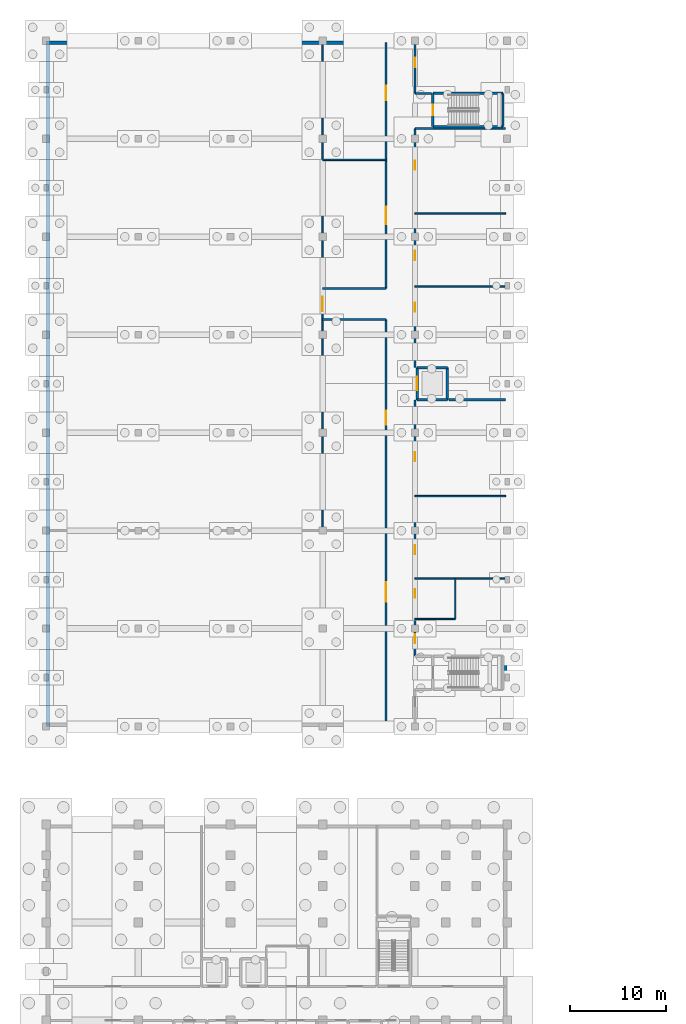
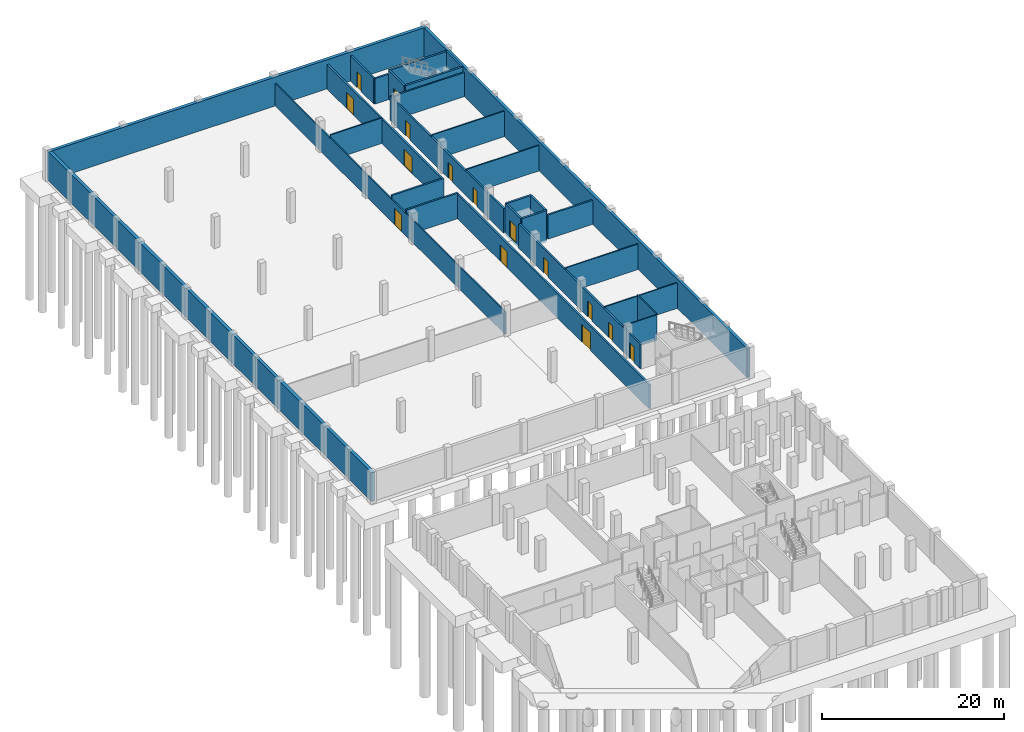
# One storey, part 11 of 18: 29 walls, 15 doors, 15 openings.
"""IFC4 building model written with IfcOpenShell, lengths in metres."""

from ifc_helpers import new_model, si_unit, direction, frame, frame_2d, origin, place, context, subcontext, project, spatial, rectangle, extrude, material, layer, layer_set, type_object, element, fill, save


model = new_model("IFC4")

# Units and contexts
model_context = context("Model", 3, precision=1e-05, world=origin(), true_north=direction((0.0, 1.0)))
body_context = subcontext(model_context, "Body", "Model", "MODEL_VIEW")
ifc_project = project(units=[si_unit("LENGTHUNIT", "METRE"), si_unit("AREAUNIT", "SQUARE_METRE"), si_unit("VOLUMEUNIT", "CUBIC_METRE"), si_unit("PLANEANGLEUNIT", "RADIAN"), si_unit("MASSUNIT", "GRAM", prefix="KILO")], contexts=[model_context])

# Site, building, storey
site_placement = place(None, origin())
site = spatial("IfcSite", under=ifc_project, at=site_placement, CompositionType="ELEMENT")
building_placement = place(site_placement, origin())
building = spatial("IfcBuilding", under=site, at=building_placement, Name="Vondelvale Polytechnic", CompositionType="ELEMENT")
storey_placement = place(building_placement, frame((0.0, 0.0, -4.199951171875)))
storey = spatial("IfcBuildingStorey", under=building, at=storey_placement, Name="B1", CompositionType="ELEMENT", Elevation=-4.199951171875)

# Walls
ifc_material_1 = material(Name="Concrete N40 (f'c = 40 MPa)", Category="concrete")
ifc_layer_1 = layer(ifc_material_1, 0.25)
ifc_layer_set_1 = layer_set([ifc_layer_1], Name="WL-CORE-250")
wall_type_1 = type_object("IfcWallType", Name="WL-CORE-250", PredefinedType="SOLIDWALL", material=ifc_layer_set_1)
wall_1_placement = place(storey_placement, frame((40.27490234375, 113.47509765625, 0.0), z_axis=(0.0, 0.0, 1.0), x_axis=(1.0, 0.0, 0.0)))
element("IfcWall", 1, at=wall_1_placement, inside=storey, type_object=wall_type_1, Name="B1 ST-02 reinforced concrete stair core wall", PredefinedType="SOLIDWALL", context=body_context, shape_type="SweptSolid", body=[
    extrude(rectangle(XDim=7.300048828125, YDim=0.25, at=frame_2d((3.64990234375, 0.0))), origin(), (0.0, 0.0, 1.0), 3.89990234375),
])
wall_2_placement = place(storey_placement, frame((47.574951171875, 113.47509765625, 0.0), z_axis=(0.0, 0.0, 1.0), x_axis=(0.0, 1.0, 0.0)))
element("IfcWall", 2, at=wall_2_placement, inside=storey, type_object=wall_type_1, Name="B1 ST-02 reinforced concrete stair core wall", PredefinedType="SOLIDWALL", context=body_context, shape_type="SweptSolid", body=[
    extrude(rectangle(XDim=3.449951171875, YDim=0.25, at=frame_2d((1.72509765625, 0.0))), origin(), (0.0, 0.0, 1.0), 3.89990234375),
])
wall_3_placement = place(storey_placement, frame((47.574951171875, 116.925048828125, 0.0), z_axis=(0.0, 0.0, 1.0), x_axis=(-1.0, 0.0, 0.0)))
element("IfcWall", 3, at=wall_3_placement, inside=storey, type_object=wall_type_1, Name="B1 ST-02 reinforced concrete stair core wall", PredefinedType="SOLIDWALL", context=body_context, shape_type="SweptSolid", body=[
    extrude(rectangle(XDim=7.300048828125, YDim=0.25, at=frame_2d((3.64990234375, 0.0))), origin(), (0.0, 0.0, 1.0), 3.89990234375),
])

# Wall, opening, door
wall_4_placement = place(storey_placement, frame((40.27490234375, 116.925048828125, 0.0), z_axis=(0.0, 0.0, 1.0), x_axis=(0.0, -1.0, 0.0)))
wall_4 = element("IfcWall", 4, at=wall_4_placement, inside=storey, type_object=wall_type_1, Name="B1 ST-02 reinforced concrete stair core wall", PredefinedType="SOLIDWALL", context=body_context, shape_type="SweptSolid", body=[
    extrude(rectangle(XDim=3.449951171875, YDim=0.25, at=frame_2d((1.72509765625, 0.0))), origin(), (0.0, 0.0, 1.0), 3.89990234375),
])
opening_1_placement = place(wall_4_placement, frame((1.175048828125, 0.0, 0.0)))
opening_1 = element("IfcOpeningElement", 5, at=opening_1_placement, cuts=wall_4, Name="Opening SD-005", PredefinedType="OPENING", context=body_context, shape_type="SweptSolid", body=[
    extrude(rectangle(XDim=1.10009765625, YDim=2.199951171875, at=frame_2d((0.550048828125, 1.10009765625))), frame((0.0, 0.135009765625, 0.0), z_axis=(0.0, -1.0, 0.0), x_axis=(1.0, 0.0, 0.0)), (0.0, 0.0, 1.0), 0.27001953125),
])
ifc_material_2 = material(Name="Brushed architectural stainless and zinc-coated metal")
door_type_1 = type_object("IfcDoorType", Name="DR-STAIR-1100x2200", OperationType="SINGLE_SWING_LEFT", PredefinedType="DOOR", material=ifc_material_2)
door_1_placement = place(opening_1_placement, origin())
door_1 = element("IfcDoor", 6, at=door_1_placement, inside=storey, type_object=door_type_1, Name="B1 ST-02 fire-isolated stair door", OperationType="SINGLE_SWING_LEFT", OverallHeight=2.199951171875, OverallWidth=1.10009765625, PredefinedType="DOOR", context=body_context, shape_type="SweptSolid", body=[
    extrude(rectangle(XDim=1.10009765625, YDim=2.199951171875, at=frame_2d((0.550048828125, 1.10009765625))), frame((0.0, 0.02490234375, 0.0), z_axis=(0.0, -1.0, 0.0), x_axis=(1.0, 0.0, 0.0)), (0.0, 0.0, 1.0), 0.050048828125),
])
fill(opening_1, door_1)

# Wall, openings, doors
ifc_material_3 = material(Name="Fire-rated double-layer plasterboard stud partition")
ifc_layer_2 = layer(ifc_material_3, 0.219970703125)
ifc_layer_set_2 = layer_set([ifc_layer_2], Name="WL-CORR-220")
wall_type_2 = type_object("IfcWallType", Name="WL-CORR-220", PredefinedType="PARTITIONING", material=ifc_layer_set_2)
wall_5_placement = place(storey_placement, frame((35.39990234375, 51.14990234375, 0.0), z_axis=(0.0, 0.0, 1.0), x_axis=(0.0, 1.0, 0.0)))
wall_5 = element("IfcWall", 7, at=wall_5_placement, inside=storey, type_object=wall_type_2, Name="B1 interior acoustic partition", PredefinedType="PARTITIONING", context=body_context, shape_type="SweptSolid", body=[
    extrude(rectangle(XDim=42.25, YDim=0.219970703125, at=frame_2d((21.125, 0.0))), origin(), (0.0, 0.0, 1.0), 3.26806640625),
])
opening_2_placement = place(wall_5_placement, frame((12.85009765625, 0.0, 0.0)))
opening_2 = element("IfcOpeningElement", 8, at=opening_2_placement, cuts=wall_5, Name="Opening ID-0074", PredefinedType="OPENING", context=body_context, shape_type="SweptSolid", body=[
    extrude(rectangle(XDim=2.0, YDim=2.39990234375, at=frame_2d((1.0, 1.199951171875))), frame((0.0, 0.119873046875, 0.0), z_axis=(0.0, -1.0, 0.0), x_axis=(1.0, 0.0, 0.0)), (0.0, 0.0, 1.0), 0.239990234375),
])
opening_3_placement = place(wall_5_placement, frame((31.25, 0.0, 0.0)))
opening_3 = element("IfcOpeningElement", 9, at=opening_3_placement, cuts=wall_5, Name="Opening ID-0075", PredefinedType="OPENING", context=body_context, shape_type="SweptSolid", body=[
    extrude(rectangle(XDim=1.5, YDim=2.199951171875, at=frame_2d((0.75, 1.10009765625))), frame((0.0, 0.119873046875, 0.0), z_axis=(0.0, -1.0, 0.0), x_axis=(1.0, 0.0, 0.0)), (0.0, 0.0, 1.0), 0.239990234375),
])
ifc_material_4 = material(Name="Fire-rated solid Tasmanian oak joinery")
door_type_2 = type_object("IfcDoorType", Name="DR-LAB-1500x2200", OperationType="DOUBLE_DOOR_SINGLE_SWING", PredefinedType="DOOR", material=ifc_material_4)
door_2_placement = place(opening_3_placement, origin())
door_2 = element("IfcDoor", 10, at=door_2_placement, inside=storey, type_object=door_type_2, Name="B1 interior room door ID-0075", OperationType="DOUBLE_DOOR_SINGLE_SWING", OverallHeight=2.199951171875, OverallWidth=1.5, PredefinedType="DOOR", context=body_context, shape_type="SweptSolid", body=[
    extrude(rectangle(XDim=1.5, YDim=2.199951171875, at=frame_2d((0.75, 1.10009765625))), frame((0.0, 0.02490234375, 0.0), z_axis=(0.0, -1.0, 0.0), x_axis=(1.0, 0.0, 0.0)), (0.0, 0.0, 1.0), 0.050048828125),
])
fill(opening_3, door_2)
door_type_3 = type_object("IfcDoorType", Name="DR-WORK-2000x2400", OperationType="DOUBLE_DOOR_SINGLE_SWING", PredefinedType="DOOR", material=ifc_material_2)
door_3_placement = place(opening_2_placement, origin())
door_3 = element("IfcDoor", 11, at=door_3_placement, inside=storey, type_object=door_type_3, Name="B1 interior room door ID-0074", OperationType="DOUBLE_DOOR_SINGLE_SWING", OverallHeight=2.39990234375, OverallWidth=2.0, PredefinedType="DOOR", context=body_context, shape_type="SweptSolid", body=[
    extrude(rectangle(XDim=2.0, YDim=2.39990234375, at=frame_2d((1.0, 1.199951171875))), frame((0.0, 0.02490234375, 0.0), z_axis=(0.0, -1.0, 0.0), x_axis=(1.0, 0.0, 0.0)), (0.0, 0.0, 1.0), 0.050048828125),
])
fill(opening_2, door_3)

wall_6_placement = place(storey_placement, frame((35.39990234375, 96.60009765625, 0.0), z_axis=(0.0, 0.0, 1.0), x_axis=(0.0, 1.0, 0.0)))
wall_6 = element("IfcWall", 12, at=wall_6_placement, inside=storey, type_object=wall_type_2, Name="B1 interior acoustic partition", PredefinedType="PARTITIONING", context=body_context, shape_type="SweptSolid", body=[
    extrude(rectangle(XDim=25.64990234375, YDim=0.219970703125, at=frame_2d((12.824951171875, 0.0))), origin(), (0.0, 0.0, 1.0), 3.26806640625),
])
opening_4_placement = place(wall_6_placement, frame((6.699951171875, 0.0, 0.0)))
opening_4 = element("IfcOpeningElement", 13, at=opening_4_placement, cuts=wall_6, Name="Opening ID-0076", PredefinedType="OPENING", context=body_context, shape_type="SweptSolid", body=[
    extrude(rectangle(XDim=1.800048828125, YDim=2.199951171875, at=frame_2d((0.89990234375, 1.10009765625))), frame((0.0, 0.119873046875, 0.0), z_axis=(0.0, -1.0, 0.0), x_axis=(1.0, 0.0, 0.0)), (0.0, 0.0, 1.0), 0.239990234375),
])
opening_5_placement = place(wall_6_placement, frame((19.60009765625, 0.0, 0.0)))
opening_5 = element("IfcOpeningElement", 14, at=opening_5_placement, cuts=wall_6, Name="Opening ID-0077", PredefinedType="OPENING", context=body_context, shape_type="SweptSolid", body=[
    extrude(rectangle(XDim=1.5, YDim=2.199951171875, at=frame_2d((0.75, 1.10009765625))), frame((0.0, 0.119873046875, 0.0), z_axis=(0.0, -1.0, 0.0), x_axis=(1.0, 0.0, 0.0)), (0.0, 0.0, 1.0), 0.239990234375),
])
door_4_placement = place(opening_5_placement, origin())
door_4 = element("IfcDoor", 15, at=door_4_placement, inside=storey, type_object=door_type_2, Name="B1 interior room door ID-0077", OperationType="DOUBLE_DOOR_SINGLE_SWING", OverallHeight=2.199951171875, OverallWidth=1.5, PredefinedType="DOOR", context=body_context, shape_type="SweptSolid", body=[
    extrude(rectangle(XDim=1.5, YDim=2.199951171875, at=frame_2d((0.75, 1.10009765625))), frame((0.0, 0.02490234375, 0.0), z_axis=(0.0, -1.0, 0.0), x_axis=(1.0, 0.0, 0.0)), (0.0, 0.0, 1.0), 0.050048828125),
])
fill(opening_5, door_4)
door_type_4 = type_object("IfcDoorType", Name="DR-PLANT-1800x2200", OperationType="DOUBLE_DOOR_SINGLE_SWING", PredefinedType="DOOR", material=ifc_material_2)
door_5_placement = place(opening_4_placement, origin())
door_5 = element("IfcDoor", 16, at=door_5_placement, inside=storey, type_object=door_type_4, Name="B1 interior room door ID-0076", OperationType="DOUBLE_DOOR_SINGLE_SWING", OverallHeight=2.199951171875, OverallWidth=1.800048828125, PredefinedType="DOOR", context=body_context, shape_type="SweptSolid", body=[
    extrude(rectangle(XDim=1.800048828125, YDim=2.199951171875, at=frame_2d((0.89990234375, 1.10009765625))), frame((0.0, 0.02490234375, 0.0), z_axis=(0.0, -1.0, 0.0), x_axis=(1.0, 0.0, 0.0)), (0.0, 0.0, 1.0), 0.050048828125),
])
fill(opening_4, door_5)

# Walls
for number, where, z_axis, x_axis, name in (
    (17, (28.800048828125, 93.39990234375, 0.0), (0.0, 0.0, 1.0), (1.0, 0.0, 0.0), "B1 interior acoustic partition"),
    (18, (28.800048828125, 96.60009765625, 0.0), (0.0, 0.0, 1.0), (1.0, 0.0, 0.0), "B1 interior acoustic partition"),
):
    element("IfcWall", number, at=place(storey_placement, frame(where, z_axis=z_axis, x_axis=x_axis)), inside=storey, type_object=wall_type_2, Name=name, PredefinedType="PARTITIONING", context=body_context, shape_type="SweptSolid", body=[
        extrude(rectangle(XDim=6.599853515625, YDim=0.219970703125, at=frame_2d((3.2998046875, 0.0))), origin(), (0.0, 0.0, 1.0), 3.4228515625),
    ])

# Wall, openings, doors
wall_7_placement = place(storey_placement, frame((38.39990234375, 58.324951171875, 0.0), z_axis=(0.0, 0.0, 1.0), x_axis=(0.0, 1.0, 0.0)))
wall_7 = element("IfcWall", 19, at=wall_7_placement, inside=storey, type_object=wall_type_2, Name="B1 interior acoustic partition", PredefinedType="PARTITIONING", context=body_context, shape_type="SweptSolid", body=[
    extrude(rectangle(XDim=26.699951171875, YDim=0.219970703125, at=frame_2d((13.35009765625, 0.0))), origin(), (0.0, 0.0, 1.0), 3.26806640625),
])
opening_6_placement = place(wall_7_placement, frame((1.35009765625, 0.0, 0.0)))
opening_6 = element("IfcOpeningElement", 20, at=opening_6_placement, cuts=wall_7, Name="Opening ID-0080", PredefinedType="OPENING", context=body_context, shape_type="SweptSolid", body=[
    extrude(rectangle(XDim=0.949951171875, YDim=2.10009765625, at=frame_2d((0.47509765625, 1.050048828125))), frame((0.0, 0.119873046875, 0.0), z_axis=(0.0, -1.0, 0.0), x_axis=(1.0, 0.0, 0.0)), (0.0, 0.0, 1.0), 0.239990234375),
])
opening_7_placement = place(wall_7_placement, frame((6.080078125, 0.0, 0.0)))
opening_7 = element("IfcOpeningElement", 21, at=opening_7_placement, cuts=wall_7, Name="Opening ID-0081", PredefinedType="OPENING", context=body_context, shape_type="SweptSolid", body=[
    extrude(rectangle(XDim=0.89990234375, YDim=2.050048828125, at=frame_2d((0.449951171875, 1.02490234375))), frame((0.0, 0.119873046875, 0.0), z_axis=(0.0, -1.0, 0.0), x_axis=(1.0, 0.0, 0.0)), (0.0, 0.0, 1.0), 0.239990234375),
])
opening_8_placement = place(wall_7_placement, frame((10.60009765625, 0.0, 0.0)))
opening_8 = element("IfcOpeningElement", 22, at=opening_8_placement, cuts=wall_7, Name="Opening ID-0082", PredefinedType="OPENING", context=body_context, shape_type="SweptSolid", body=[
    extrude(rectangle(XDim=0.949951171875, YDim=2.10009765625, at=frame_2d((0.47509765625, 1.050048828125))), frame((0.0, 0.119873046875, 0.0), z_axis=(0.0, -1.0, 0.0), x_axis=(1.0, 0.0, 0.0)), (0.0, 0.0, 1.0), 0.239990234375),
])
opening_9_placement = place(wall_7_placement, frame((20.300048828125, 0.0, 0.0)))
opening_9 = element("IfcOpeningElement", 23, at=opening_9_placement, cuts=wall_7, Name="Opening ID-0083", PredefinedType="OPENING", context=body_context, shape_type="SweptSolid", body=[
    extrude(rectangle(XDim=0.949951171875, YDim=2.10009765625, at=frame_2d((0.47509765625, 1.050048828125))), frame((0.0, 0.119873046875, 0.0), z_axis=(0.0, -1.0, 0.0), x_axis=(1.0, 0.0, 0.0)), (0.0, 0.0, 1.0), 0.239990234375),
])
door_type_5 = type_object("IfcDoorType", Name="DR-INT-0950x2100", OperationType="SINGLE_SWING_LEFT", PredefinedType="DOOR", material=ifc_material_4)
door_6_placement = place(opening_6_placement, origin())
door_6 = element("IfcDoor", 24, at=door_6_placement, inside=storey, type_object=door_type_5, Name="B1 interior room door ID-0080", OperationType="SINGLE_SWING_RIGHT", OverallHeight=2.10009765625, OverallWidth=0.949951171875, PredefinedType="DOOR", context=body_context, shape_type="SweptSolid", body=[
    extrude(rectangle(XDim=0.949951171875, YDim=2.10009765625, at=frame_2d((0.47509765625, 1.050048828125))), frame((0.0, 0.02490234375, 0.0), z_axis=(0.0, -1.0, 0.0), x_axis=(1.0, 0.0, 0.0)), (0.0, 0.0, 1.0), 0.050048828125),
])
fill(opening_6, door_6)
door_7_placement = place(opening_8_placement, origin())
door_7 = element("IfcDoor", 25, at=door_7_placement, inside=storey, type_object=door_type_5, Name="B1 interior room door ID-0082", OperationType="SINGLE_SWING_RIGHT", OverallHeight=2.10009765625, OverallWidth=0.949951171875, PredefinedType="DOOR", context=body_context, shape_type="SweptSolid", body=[
    extrude(rectangle(XDim=0.949951171875, YDim=2.10009765625, at=frame_2d((0.47509765625, 1.050048828125))), frame((0.0, 0.02490234375, 0.0), z_axis=(0.0, -1.0, 0.0), x_axis=(1.0, 0.0, 0.0)), (0.0, 0.0, 1.0), 0.050048828125),
])
fill(opening_8, door_7)
door_8_placement = place(opening_9_placement, origin())
door_8 = element("IfcDoor", 26, at=door_8_placement, inside=storey, type_object=door_type_5, Name="B1 interior room door ID-0083", OperationType="SINGLE_SWING_LEFT", OverallHeight=2.10009765625, OverallWidth=0.949951171875, PredefinedType="DOOR", context=body_context, shape_type="SweptSolid", body=[
    extrude(rectangle(XDim=0.949951171875, YDim=2.10009765625, at=frame_2d((0.47509765625, 1.050048828125))), frame((0.0, 0.02490234375, 0.0), z_axis=(0.0, -1.0, 0.0), x_axis=(1.0, 0.0, 0.0)), (0.0, 0.0, 1.0), 0.050048828125),
])
fill(opening_9, door_8)
door_type_6 = type_object("IfcDoorType", Name="DR-WC-0900x2050", OperationType="SINGLE_SWING_RIGHT", PredefinedType="DOOR", material=ifc_material_4)
door_9_placement = place(opening_7_placement, origin())
door_9 = element("IfcDoor", 27, at=door_9_placement, inside=storey, type_object=door_type_6, Name="B1 interior room door ID-0081", OperationType="SINGLE_SWING_LEFT", OverallHeight=2.050048828125, OverallWidth=0.89990234375, PredefinedType="DOOR", context=body_context, shape_type="SweptSolid", body=[
    extrude(rectangle(XDim=0.89990234375, YDim=2.050048828125, at=frame_2d((0.449951171875, 1.02490234375))), frame((0.0, 0.02490234375, 0.0), z_axis=(0.0, -1.0, 0.0), x_axis=(1.0, 0.0, 0.0)), (0.0, 0.0, 1.0), 0.050048828125),
])
fill(opening_7, door_9)

# Wall
wall_8_placement = place(storey_placement, frame((41.93994140625, 85.02490234375, 0.0), z_axis=(0.0, 0.0, 1.0), x_axis=(1.0, 0.0, 0.0)))
element("IfcWall", 28, at=wall_8_placement, inside=storey, type_object=wall_type_2, Name="B1 interior acoustic partition", PredefinedType="PARTITIONING", context=body_context, shape_type="SweptSolid", body=[
    extrude(rectangle(XDim=5.91015625, YDim=0.219970703125, at=frame_2d((2.955078125, 0.0))), origin(), (0.0, 0.0, 1.0), 3.22998046875),
])

# Wall, openings, doors
wall_9_placement = place(storey_placement, frame((38.39990234375, 88.375, 0.0), z_axis=(0.0, 0.0, 1.0), x_axis=(0.0, 1.0, 0.0)))
wall_9 = element("IfcWall", 29, at=wall_9_placement, inside=storey, type_object=wall_type_2, Name="B1 interior acoustic partition", PredefinedType="PARTITIONING", context=body_context, shape_type="SweptSolid", body=[
    extrude(rectangle(XDim=24.89990234375, YDim=0.219970703125, at=frame_2d((12.449951171875, 0.0))), origin(), (0.0, 0.0, 1.0), 3.26806640625),
])
opening_10_placement = place(wall_9_placement, frame((5.800048828125, 0.0, 0.0)))
opening_10 = element("IfcOpeningElement", 30, at=opening_10_placement, cuts=wall_9, Name="Opening ID-0084", PredefinedType="OPENING", context=body_context, shape_type="SweptSolid", body=[
    extrude(rectangle(XDim=0.949951171875, YDim=2.10009765625, at=frame_2d((0.47509765625, 1.050048828125))), frame((0.0, 0.119873046875, 0.0), z_axis=(0.0, -1.0, 0.0), x_axis=(1.0, 0.0, 0.0)), (0.0, 0.0, 1.0), 0.239990234375),
])
opening_11_placement = place(wall_9_placement, frame((11.199951171875, 0.0, 0.0)))
opening_11 = element("IfcOpeningElement", 31, at=opening_11_placement, cuts=wall_9, Name="Opening ID-0085", PredefinedType="OPENING", context=body_context, shape_type="SweptSolid", body=[
    extrude(rectangle(XDim=0.949951171875, YDim=2.10009765625, at=frame_2d((0.47509765625, 1.050048828125))), frame((0.0, 0.119873046875, 0.0), z_axis=(0.0, -1.0, 0.0), x_axis=(1.0, 0.0, 0.0)), (0.0, 0.0, 1.0), 0.239990234375),
])
opening_12_placement = place(wall_9_placement, frame((20.60009765625, 0.0, 0.0)))
opening_12 = element("IfcOpeningElement", 32, at=opening_12_placement, cuts=wall_9, Name="Opening ID-0086", PredefinedType="OPENING", context=body_context, shape_type="SweptSolid", body=[
    extrude(rectangle(XDim=0.949951171875, YDim=2.10009765625, at=frame_2d((0.47509765625, 1.050048828125))), frame((0.0, 0.119873046875, 0.0), z_axis=(0.0, -1.0, 0.0), x_axis=(1.0, 0.0, 0.0)), (0.0, 0.0, 1.0), 0.239990234375),
])
door_10_placement = place(opening_10_placement, origin())
door_10 = element("IfcDoor", 33, at=door_10_placement, inside=storey, type_object=door_type_5, Name="B1 interior room door ID-0084", OperationType="SINGLE_SWING_RIGHT", OverallHeight=2.10009765625, OverallWidth=0.949951171875, PredefinedType="DOOR", context=body_context, shape_type="SweptSolid", body=[
    extrude(rectangle(XDim=0.949951171875, YDim=2.10009765625, at=frame_2d((0.47509765625, 1.050048828125))), frame((0.0, 0.02490234375, 0.0), z_axis=(0.0, -1.0, 0.0), x_axis=(1.0, 0.0, 0.0)), (0.0, 0.0, 1.0), 0.050048828125),
])
fill(opening_10, door_10)
door_11_placement = place(opening_11_placement, origin())
door_11 = element("IfcDoor", 34, at=door_11_placement, inside=storey, type_object=door_type_5, Name="B1 interior room door ID-0085", OperationType="SINGLE_SWING_LEFT", OverallHeight=2.10009765625, OverallWidth=0.949951171875, PredefinedType="DOOR", context=body_context, shape_type="SweptSolid", body=[
    extrude(rectangle(XDim=0.949951171875, YDim=2.10009765625, at=frame_2d((0.47509765625, 1.050048828125))), frame((0.0, 0.02490234375, 0.0), z_axis=(0.0, -1.0, 0.0), x_axis=(1.0, 0.0, 0.0)), (0.0, 0.0, 1.0), 0.050048828125),
])
fill(opening_11, door_11)
door_12_placement = place(opening_12_placement, origin())
door_12 = element("IfcDoor", 35, at=door_12_placement, inside=storey, type_object=door_type_5, Name="B1 interior room door ID-0086", OperationType="SINGLE_SWING_RIGHT", OverallHeight=2.10009765625, OverallWidth=0.949951171875, PredefinedType="DOOR", context=body_context, shape_type="SweptSolid", body=[
    extrude(rectangle(XDim=0.949951171875, YDim=2.10009765625, at=frame_2d((0.47509765625, 1.050048828125))), frame((0.0, 0.02490234375, 0.0), z_axis=(0.0, -1.0, 0.0), x_axis=(1.0, 0.0, 0.0)), (0.0, 0.0, 1.0), 0.050048828125),
])
fill(opening_12, door_12)

# Walls
wall_10_placement = place(storey_placement, frame((38.39990234375, 113.27490234375, 0.0), z_axis=(0.0, 0.0, 1.0), x_axis=(1.0, 0.0, 0.0)))
element("IfcWall", 36, at=wall_10_placement, inside=storey, type_object=wall_type_2, Name="B1 interior acoustic partition", PredefinedType="PARTITIONING", context=body_context, shape_type="SweptSolid", body=[
    extrude(rectangle(XDim=9.4501953125, YDim=0.219970703125, at=frame_2d((4.72509765625, 0.0))), origin(), (0.0, 0.0, 1.0), 3.22998046875),
])
wall_11_placement = place(storey_placement, frame((38.39990234375, 116.925048828125, 0.0), z_axis=(0.0, 0.0, 1.0), x_axis=(1.0, 0.0, 0.0)))
element("IfcWall", 37, at=wall_11_placement, inside=storey, type_object=wall_type_2, Name="B1 interior acoustic partition", PredefinedType="PARTITIONING", context=body_context, shape_type="SweptSolid", body=[
    extrude(rectangle(XDim=1.710205078125, YDim=0.219970703125, at=frame_2d((0.85498046875, 0.0))), origin(), (0.0, 0.0, 1.0), 3.4228515625),
])

# Wall, opening, door
wall_12_placement = place(storey_placement, frame((38.39990234375, 116.925048828125, 0.0), z_axis=(0.0, 0.0, 1.0), x_axis=(0.0, 1.0, 0.0)))
wall_12 = element("IfcWall", 38, at=wall_12_placement, inside=storey, type_object=wall_type_2, Name="B1 interior acoustic partition", PredefinedType="PARTITIONING", context=body_context, shape_type="SweptSolid", body=[
    extrude(rectangle(XDim=5.324951171875, YDim=0.219970703125, at=frame_2d((2.66259765625, 0.0))), origin(), (0.0, 0.0, 1.0), 3.4228515625),
])
opening_13_placement = place(wall_12_placement, frame((2.75, 0.0, 0.0)))
opening_13 = element("IfcOpeningElement", 39, at=opening_13_placement, cuts=wall_12, Name="Opening ID-0087", PredefinedType="OPENING", context=body_context, shape_type="SweptSolid", body=[
    extrude(rectangle(XDim=0.949951171875, YDim=2.10009765625, at=frame_2d((0.47509765625, 1.050048828125))), frame((0.0, 0.119873046875, 0.0), z_axis=(0.0, -1.0, 0.0), x_axis=(1.0, 0.0, 0.0)), (0.0, 0.0, 1.0), 0.239990234375),
])
door_13_placement = place(opening_13_placement, origin())
door_13 = element("IfcDoor", 40, at=door_13_placement, inside=storey, type_object=door_type_5, Name="B1 interior room door ID-0087", OperationType="SINGLE_SWING_LEFT", OverallHeight=2.10009765625, OverallWidth=0.949951171875, PredefinedType="DOOR", context=body_context, shape_type="SweptSolid", body=[
    extrude(rectangle(XDim=0.949951171875, YDim=2.10009765625, at=frame_2d((0.47509765625, 1.050048828125))), frame((0.0, 0.02490234375, 0.0), z_axis=(0.0, -1.0, 0.0), x_axis=(1.0, 0.0, 0.0)), (0.0, 0.0, 1.0), 0.050048828125),
])
fill(opening_13, door_13)

# Walls
ifc_layer_3 = layer(ifc_material_3, 0.1201171875)
ifc_layer_set_3 = layer_set([ifc_layer_3], Name="WL-INT-120")
wall_type_3 = type_object("IfcWallType", Name="WL-INT-120", PredefinedType="PARTITIONING", material=ifc_layer_set_3)
wall_13_placement = place(storey_placement, frame((38.39990234375, 62.199951171875, 0.0), z_axis=(0.0, 0.0, 1.0), x_axis=(1.0, 0.0, 0.0)))
element("IfcWall", 41, at=wall_13_placement, inside=storey, type_object=wall_type_3, Name="B1 interior acoustic partition", PredefinedType="PARTITIONING", context=body_context, shape_type="SweptSolid", body=[
    extrude(rectangle(XDim=4.2001953125, YDim=0.1201171875, at=frame_2d((2.10009765625, 0.0))), origin(), (0.0, 0.0, 1.0), 3.4228515625),
])
wall_14_placement = place(storey_placement, frame((42.60009765625, 62.199951171875, 0.0), z_axis=(0.0, 0.0, 1.0), x_axis=(0.0, 1.0, 0.0)))
element("IfcWall", 42, at=wall_14_placement, inside=storey, type_object=wall_type_3, Name="B1 interior acoustic partition", PredefinedType="PARTITIONING", context=body_context, shape_type="SweptSolid", body=[
    extrude(rectangle(XDim=4.199951171875, YDim=0.1201171875, at=frame_2d((2.10009765625, 0.0))), origin(), (0.0, 0.0, 1.0), 3.575927734375),
])

# Wall, opening, door
ifc_layer_4 = layer(ifc_material_3, 0.14990234375)
ifc_layer_set_4 = layer_set([ifc_layer_4], Name="WL-INT-150")
wall_type_4 = type_object("IfcWallType", Name="WL-INT-150", PredefinedType="PARTITIONING", material=ifc_layer_set_4)
wall_15_placement = place(storey_placement, frame((28.800048828125, 71.39990234375, 0.0), z_axis=(0.0, 0.0, 1.0), x_axis=(0.0, 1.0, 0.0)))
wall_15 = element("IfcWall", 43, at=wall_15_placement, inside=storey, type_object=wall_type_4, Name="B1 interior acoustic partition", PredefinedType="PARTITIONING", context=body_context, shape_type="SweptSolid", body=[
    extrude(rectangle(XDim=50.85009765625, YDim=0.14990234375, at=frame_2d((25.425048828125, 0.0))), origin(), (0.0, 0.0, 1.0), 3.030029296875),
])
opening_14_placement = place(wall_15_placement, frame((22.85009765625, 0.0, 0.0)))
opening_14 = element("IfcOpeningElement", 44, at=opening_14_placement, cuts=wall_15, Name="Opening ID-0078", PredefinedType="OPENING", context=body_context, shape_type="SweptSolid", body=[
    extrude(rectangle(XDim=1.5, YDim=2.199951171875, at=frame_2d((0.75, 1.10009765625))), frame((0.0, 0.0849609375, 0.0), z_axis=(0.0, -1.0, 0.0), x_axis=(1.0, 0.0, 0.0)), (0.0, 0.0, 1.0), 0.169921875),
])
door_14_placement = place(opening_14_placement, origin())
door_14 = element("IfcDoor", 45, at=door_14_placement, inside=storey, type_object=door_type_2, Name="B1 interior room door ID-0078", OperationType="DOUBLE_DOOR_SINGLE_SWING", OverallHeight=2.199951171875, OverallWidth=1.5, PredefinedType="DOOR", context=body_context, shape_type="SweptSolid", body=[
    extrude(rectangle(XDim=1.5, YDim=2.199951171875, at=frame_2d((0.75, 1.10009765625))), frame((0.0, 0.02490234375, 0.0), z_axis=(0.0, -1.0, 0.0), x_axis=(1.0, 0.0, 0.0)), (0.0, 0.0, 1.0), 0.050048828125),
])
fill(opening_14, door_14)

# Walls
wall_16_placement = place(storey_placement, frame((28.800048828125, 110.0, 0.0), z_axis=(0.0, 0.0, 1.0), x_axis=(1.0, 0.0, 0.0)))
element("IfcWall", 46, at=wall_16_placement, inside=storey, type_object=wall_type_4, Name="B1 interior acoustic partition", PredefinedType="PARTITIONING", context=body_context, shape_type="SweptSolid", body=[
    extrude(rectangle(XDim=6.599853515625, YDim=0.14990234375, at=frame_2d((3.2998046875, 0.0))), origin(), (0.0, 0.0, 1.0), 3.4228515625),
])
for number, where, z_axis, x_axis, name in (
    (47, (38.39990234375, 66.39990234375, 0.0), (0.0, 0.0, 1.0), (1.0, 0.0, 0.0), "B1 interior acoustic partition"),
    (48, (38.39990234375, 75.0, 0.0), (0.0, 0.0, 1.0), (1.0, 0.0, 0.0), "B1 interior acoustic partition"),
    (49, (38.39990234375, 96.800048828125, 0.0), (0.0, 0.0, 1.0), (1.0, 0.0, 0.0), "B1 interior acoustic partition"),
    (50, (38.39990234375, 104.39990234375, 0.0), (0.0, 0.0, 1.0), (1.0, 0.0, 0.0), "B1 interior acoustic partition"),
):
    element("IfcWall", number, at=place(storey_placement, frame(where, z_axis=z_axis, x_axis=x_axis)), inside=storey, type_object=wall_type_4, Name=name, PredefinedType="PARTITIONING", context=body_context, shape_type="SweptSolid", body=[
        extrude(rectangle(XDim=9.4501953125, YDim=0.14990234375, at=frame_2d((4.72509765625, 0.0))), origin(), (0.0, 0.0, 1.0), 3.4228515625),
    ])
ifc_layer_5 = layer(ifc_material_1, 0.35009765625)
ifc_layer_set_5 = layer_set([ifc_layer_5], Name="WL-RET-350")
wall_type_5 = type_object("IfcWallType", Name="WL-RET-350", PredefinedType="USERDEFINED", material=ifc_layer_set_5)
wall_17_placement = place(storey_placement, frame((47.800048828125, 51.0, 0.0), z_axis=(0.0, 0.0, 1.0), x_axis=(0.0, 1.0, 0.0)))
element("IfcWall", 51, at=wall_17_placement, inside=storey, type_object=wall_type_5, Name="Basement retaining wall V1-E", ObjectType="RETAININGWALL", PredefinedType="USERDEFINED", context=body_context, shape_type="SweptSolid", body=[
    extrude(rectangle(XDim=71.39990234375, YDim=0.35009765625, at=frame_2d((35.699951171875, 0.0))), origin(), (0.0, 0.0, 1.0), 3.89990234375),
])
ifc_layer_6 = layer(ifc_material_1, 0.39990234375)
ifc_layer_set_6 = layer_set([ifc_layer_6], Name="WL-RET-400")
wall_type_6 = type_object("IfcWallType", Name="WL-RET-400", PredefinedType="USERDEFINED", material=ifc_layer_set_6)
wall_18_placement = place(storey_placement, frame((0.199951171875, 51.0, 0.0), z_axis=(0.0, 0.0, 1.0), x_axis=(0.0, 1.0, 0.0)))
element("IfcWall", 52, at=wall_18_placement, inside=storey, type_object=wall_type_6, Name="Basement retaining wall V1-W", ObjectType="RETAININGWALL", PredefinedType="USERDEFINED", context=body_context, shape_type="SweptSolid", body=[
    extrude(rectangle(XDim=71.39990234375, YDim=0.39990234375, at=frame_2d((35.699951171875, 0.0))), origin(), (0.0, 0.0, 1.0), 3.89990234375),
])
wall_19_placement = place(storey_placement, frame((0.199951171875, 122.199951171875, 0.0), z_axis=(0.0, 0.0, 1.0), x_axis=(1.0, 0.0, 0.0)))
element("IfcWall", 53, at=wall_19_placement, inside=storey, type_object=wall_type_6, Name="Basement retaining wall V1-N", ObjectType="RETAININGWALL", PredefinedType="USERDEFINED", context=body_context, shape_type="SweptSolid", body=[
    extrude(rectangle(XDim=47.60009765625, YDim=0.39990234375, at=frame_2d((23.800048828125, 0.0))), origin(), (0.0, 0.0, 1.0), 3.89990234375),
])
ifc_layer_7 = layer(ifc_material_1, 0.25)
ifc_layer_set_7 = layer_set([ifc_layer_7], Name="WL-SHAFT-250")
wall_type_7 = type_object("IfcWallType", Name="WL-SHAFT-250", PredefinedType="SOLIDWALL", material=ifc_layer_set_7)
wall_20_placement = place(storey_placement, frame((38.625, 85.02490234375, -0.300048828125), z_axis=(0.0, 0.0, 1.0), x_axis=(1.0, 0.0, 0.0)))
element("IfcWall", 54, at=wall_20_placement, inside=storey, type_object=wall_type_7, Name="B1 GL-01 lift shaft wall S", PredefinedType="SOLIDWALL", context=body_context, shape_type="SweptSolid", body=[
    extrude(rectangle(XDim=3.14990234375, YDim=0.25, at=frame_2d((1.574951171875, 0.0))), origin(), (0.0, 0.0, 1.0), 4.199951171875),
])
wall_21_placement = place(storey_placement, frame((41.77490234375, 85.02490234375, -0.300048828125), z_axis=(0.0, 0.0, 1.0), x_axis=(0.0, 1.0, 0.0)))
element("IfcWall", 55, at=wall_21_placement, inside=storey, type_object=wall_type_7, Name="B1 GL-01 lift shaft wall E", PredefinedType="SOLIDWALL", context=body_context, shape_type="SweptSolid", body=[
    extrude(rectangle(XDim=3.35009765625, YDim=0.25, at=frame_2d((1.675048828125, 0.0))), origin(), (0.0, 0.0, 1.0), 4.199951171875),
])
wall_22_placement = place(storey_placement, frame((41.77490234375, 88.375, -0.300048828125), z_axis=(0.0, 0.0, 1.0), x_axis=(-1.0, 0.0, 0.0)))
element("IfcWall", 56, at=wall_22_placement, inside=storey, type_object=wall_type_7, Name="B1 GL-01 lift shaft wall N", PredefinedType="SOLIDWALL", context=body_context, shape_type="SweptSolid", body=[
    extrude(rectangle(XDim=3.14990234375, YDim=0.25, at=frame_2d((1.574951171875, 0.0))), origin(), (0.0, 0.0, 1.0), 4.199951171875),
])

# Wall, opening, door
wall_23_placement = place(storey_placement, frame((38.625, 88.375, -0.300048828125), z_axis=(0.0, 0.0, 1.0), x_axis=(0.0, -1.0, 0.0)))
wall_23 = element("IfcWall", 57, at=wall_23_placement, inside=storey, type_object=wall_type_7, Name="B1 GL-01 lift shaft wall W", PredefinedType="SOLIDWALL", context=body_context, shape_type="SweptSolid", body=[
    extrude(rectangle(XDim=3.35009765625, YDim=0.25, at=frame_2d((1.675048828125, 0.0))), origin(), (0.0, 0.0, 1.0), 4.199951171875),
])
opening_15_placement = place(wall_23_placement, frame((0.97509765625, 0.0, 0.300048828125)))
opening_15 = element("IfcOpeningElement", 58, at=opening_15_placement, cuts=wall_23, Name="Opening LD-045", PredefinedType="OPENING", context=body_context, shape_type="SweptSolid", body=[
    extrude(rectangle(XDim=1.39990234375, YDim=2.199951171875, at=frame_2d((0.699951171875, 1.10009765625))), frame((0.0, 0.135009765625, 0.0), z_axis=(0.0, -1.0, 0.0), x_axis=(1.0, 0.0, 0.0)), (0.0, 0.0, 1.0), 0.27001953125),
])
door_type_7 = type_object("IfcDoorType", Name="DR-LIFT-1400x2200", OperationType="DOUBLE_DOOR_SLIDING", PredefinedType="DOOR", material=ifc_material_2)
door_15_placement = place(opening_15_placement, origin())
door_15 = element("IfcDoor", 59, at=door_15_placement, inside=storey, type_object=door_type_7, Name="B1 GL-01 sliding lift landing door", OperationType="DOUBLE_DOOR_SLIDING", OverallHeight=2.199951171875, OverallWidth=1.39990234375, PredefinedType="DOOR", context=body_context, shape_type="SweptSolid", body=[
    extrude(rectangle(XDim=1.39990234375, YDim=2.199951171875, at=frame_2d((0.699951171875, 1.10009765625))), frame((0.0, 0.02490234375, 0.0), z_axis=(0.0, -1.0, 0.0), x_axis=(1.0, 0.0, 0.0)), (0.0, 0.0, 1.0), 0.050048828125),
])
fill(opening_15, door_15)

save(model, "model.ifc")
